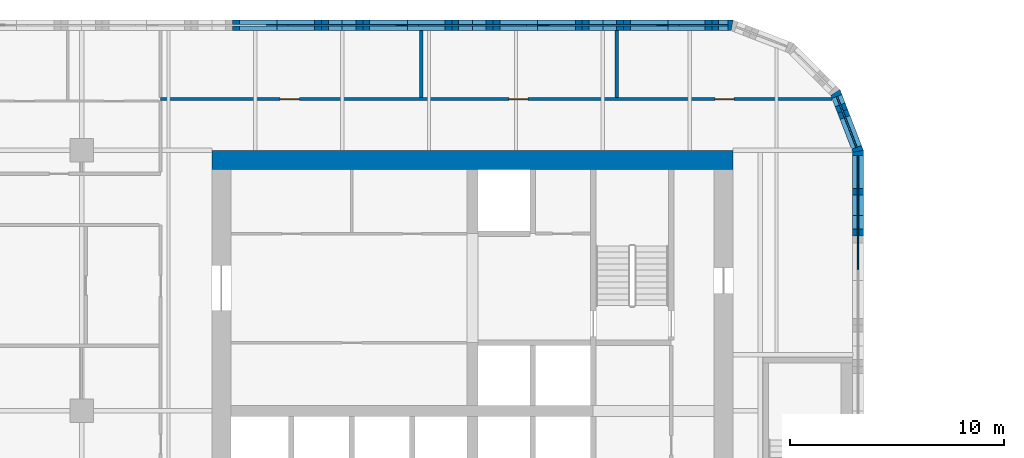
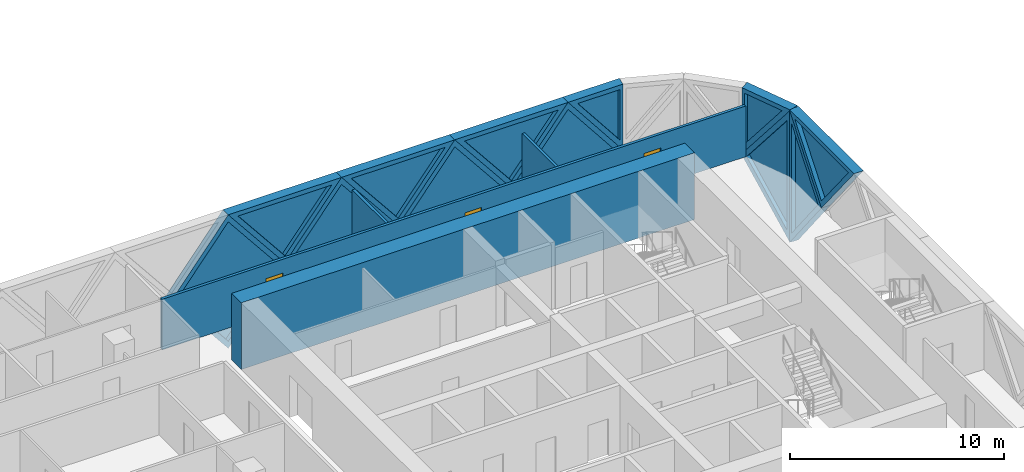
# One storey, part 13 of 24: 16 walls, 12 plates, 3 doors, 15 openings.
"""IFC4 building model written with IfcOpenShell, lengths in metres."""

from ifc_helpers import new_model, si_unit, direction, frame, frame_2d, origin, place, context, subcontext, project, spatial, polyline, rectangle, outline, extrude, faceted_brep, source, transform, mapped, material, layer, layer_set, type_object, element, fill, save


model = new_model("IFC4")

# Units and contexts
model_context = context("Model", 3, precision=1e-05, world=origin(), true_north=direction((0.0, 1.0)))
body_context = subcontext(model_context, "Body", "Model", "MODEL_VIEW")
ifc_project = project(units=[si_unit("LENGTHUNIT", "METRE"), si_unit("AREAUNIT", "SQUARE_METRE"), si_unit("VOLUMEUNIT", "CUBIC_METRE"), si_unit("PLANEANGLEUNIT", "RADIAN"), si_unit("MASSUNIT", "GRAM", prefix="KILO")], contexts=[model_context])

# Site, building, storey
site_placement = place(None, origin())
site = spatial("IfcSite", under=ifc_project, at=site_placement, CompositionType="ELEMENT")
building_placement = place(site_placement, origin())
building = spatial("IfcBuilding", under=site, at=building_placement, Name="Tessera Gate Towers", CompositionType="ELEMENT")
storey_placement = place(building_placement, frame((0.0, 0.0, 60.0)))
storey = spatial("IfcBuildingStorey", under=building, at=storey_placement, Name="L14", CompositionType="ELEMENT", Elevation=60.0)

# Wall
ifc_material_1 = material(Name="Concrete C70/85", Category="concrete")
ifc_layer_1 = layer(ifc_material_1, 0.89990234375)
ifc_layer_set_1 = layer_set([ifc_layer_1], Name="CORE SHEAR WALL 900 C70/85")
wall_type_1 = type_object("IfcWallType", Name="CORE SHEAR WALL 900 C70/85", PredefinedType="SHEAR", material=ifc_layer_set_1)
wall_1_placement = place(storey_placement, frame((30.5, 48.35009765625, 0.0), z_axis=(0.0, 0.0, 1.0), x_axis=(1.0, 0.0, 0.0)))
element("IfcWall", 1, at=wall_1_placement, inside=storey, type_object=wall_type_1, Name="Core wall N L14", PredefinedType="SHEAR", context=body_context, shape_type="SweptSolid", body=[
    extrude(rectangle(XDim=24.39990234375, YDim=0.89990234375, at=frame_2d((12.199951171875, 0.0))), origin(), (0.0, 0.0, 1.0), 3.800048828125),
])

# Wall, openings, doors
ifc_material_2 = material(Name="Gypsum board on steel studs, mineral wool", Category="steel")
ifc_layer_2 = layer(ifc_material_2, 0.14990234375)
ifc_layer_set_2 = layer_set([ifc_layer_2], Name="CORRIDOR WALL 150")
wall_type_2 = type_object("IfcWallType", Name="CORRIDOR WALL 150", PredefinedType="PARTITIONING", material=ifc_layer_set_2)
wall_2_placement = place(storey_placement, frame((28.10009765625, 51.199951171875, 0.0), z_axis=(0.0, 0.0, 1.0), x_axis=(1.0, 0.0, 0.0)))
wall_2 = element("IfcWall", 2, at=wall_2_placement, inside=storey, type_object=wall_type_2, Name="T1-L14-PW-047", PredefinedType="PARTITIONING", context=body_context, shape_type="SweptSolid", body=[
    extrude(rectangle(XDim=31.438232421875, YDim=0.14990234375, at=frame_2d((15.71923828125, 0.0))), origin(), (0.0, 0.0, 1.0), 2.887939453125),
])
shared_shape_1 = source(origin(), body_context, "Body", "SweptSolid", [
    extrude(rectangle(XDim=0.89990234375, YDim=2.10009765625, at=frame_2d((0.449951171875, 1.050048828125))), frame((0.0, 0.0849609375, 0.0), z_axis=(0.0, -1.0, 0.0), x_axis=(1.0, 0.0, 0.0)), (0.0, 0.0, 1.0), 0.169921875),
])
opening_1_placement = place(wall_2_placement, frame((16.301025390625, 0.0, 0.0)))
opening_1 = element("IfcOpeningElement", 3, at=opening_1_placement, cuts=wall_2, Name="Opening D890FD60-A05-05", PredefinedType="OPENING", context=body_context, shape_type="MappedRepresentation", body=[
    mapped(shared_shape_1, transform((0.0, 0.0, 0.0), scale=1.0)),
])
opening_2_placement = place(wall_2_placement, frame((25.949951171875, 0.0, 0.0)))
opening_2 = element("IfcOpeningElement", 4, at=opening_2_placement, cuts=wall_2, Name="Opening D890FD60-A05-08", PredefinedType="OPENING", context=body_context, shape_type="MappedRepresentation", body=[
    mapped(shared_shape_1, transform((0.0, 0.0, 0.0), scale=1.0)),
])
opening_3_placement = place(wall_2_placement, frame((5.60009765625, 0.0, 0.0)))
opening_3 = element("IfcOpeningElement", 5, at=opening_3_placement, cuts=wall_2, Name="Opening D890FD60-A05-09", PredefinedType="OPENING", context=body_context, shape_type="MappedRepresentation", body=[
    mapped(shared_shape_1, transform((0.0, 0.0, 0.0), scale=1.0)),
])
ifc_material_3 = material(Name="Timber door leaf in steel frame", Category="steel")
door_type = type_object("IfcDoorType", Name="CORRIDOR DOOR 900 FD60", OperationType="NOTDEFINED", PredefinedType="DOOR", material=ifc_material_3)
shared_shape_2 = source(origin(), body_context, "Body", "SweptSolid", [
    extrude(rectangle(XDim=0.89990234375, YDim=2.10009765625, at=frame_2d((0.449951171875, 1.050048828125))), frame((0.0, 0.02490234375, 0.0), z_axis=(0.0, -1.0, 0.0), x_axis=(1.0, 0.0, 0.0)), (0.0, 0.0, 1.0), 0.050048828125),
])
door_1_placement = place(opening_1_placement, origin())
door_1 = element("IfcDoor", 6, at=door_1_placement, inside=storey, type_object=door_type, Name="T1-L14-PD-024", OperationType="SINGLE_SWING_LEFT", OverallHeight=2.10009765625, OverallWidth=0.89990234375, PredefinedType="DOOR", context=body_context, shape_type="MappedRepresentation", body=[
    mapped(shared_shape_2, transform((0.0, 0.0, 0.0), scale=1.0)),
])
fill(opening_1, door_1)
door_2_placement = place(opening_2_placement, origin())
door_2 = element("IfcDoor", 7, at=door_2_placement, inside=storey, type_object=door_type, Name="T1-L14-PD-027", OperationType="SINGLE_SWING_LEFT", OverallHeight=2.10009765625, OverallWidth=0.89990234375, PredefinedType="DOOR", context=body_context, shape_type="MappedRepresentation", body=[
    mapped(shared_shape_2, transform((0.0, 0.0, 0.0), scale=1.0)),
])
fill(opening_2, door_2)
door_3_placement = place(opening_3_placement, origin())
door_3 = element("IfcDoor", 8, at=door_3_placement, inside=storey, type_object=door_type, Name="T1-L14-PD-028", OperationType="SINGLE_SWING_LEFT", OverallHeight=2.10009765625, OverallWidth=0.89990234375, PredefinedType="DOOR", context=body_context, shape_type="MappedRepresentation", body=[
    mapped(shared_shape_2, transform((0.0, 0.0, 0.0), scale=1.0)),
])
fill(opening_3, door_3)

# Walls
ifc_material_4 = material(Name="Gypsum board on steel studs, mineral wool", Category="steel")
ifc_layer_3 = layer(ifc_material_4, 0.14990234375)
ifc_layer_set_3 = layer_set([ifc_layer_3], Name="TENANCY WALL 150")
wall_type_3 = type_object("IfcWallType", Name="TENANCY WALL 150", PredefinedType="PARTITIONING", material=ifc_layer_set_3)
for number, where, z_axis, x_axis, name in (
    (9, (40.300048828125, 51.27587890625, 0.0), (0.0, 0.0, 1.0), (0.0, 1.0, 0.0), "T1-L14-PW-049"),
    (10, (49.449951171875, 51.27587890625, 0.0), (0.0, 0.0, 1.0), (0.0, 1.0, 0.0), "T1-L14-PW-050"),
):
    element("IfcWall", number, at=place(storey_placement, frame(where, z_axis=z_axis, x_axis=x_axis)), inside=storey, type_object=wall_type_3, Name=name, PredefinedType="PARTITIONING", context=body_context, shape_type="SweptSolid", body=[
        extrude(rectangle(XDim=3.1240234375, YDim=0.14990234375, at=frame_2d((1.56201171875, 0.0))), origin(), (0.0, 0.0, 1.0), 2.887939453125),
    ])

# Wall, opening, plate
ifc_material_5 = material(Name="Precast concrete C60/75 white", Category="concrete")
ifc_layer_4 = layer(ifc_material_5, 0.5)
ifc_layer_set_4 = layer_set([ifc_layer_4], Name="TS1 tessera")
wall_type_4 = type_object("IfcWallType", Name="TS1 tessera", PredefinedType="SOLIDWALL", material=ifc_layer_set_4)
shared_shape_3 = source(origin(), body_context, "Body", "Brep", [
    faceted_brep([(3.00341796875, -0.25, 0.0), (6.053466796875, -0.25, 3.800048828125), (3.00341796875, -0.25, 7.60009765625), (0.0, -0.25, 3.800048828125), (0.046630859375, 0.25, 3.85888671875), (3.00341796875, 0.25, 7.60009765625), (6.053466796875, 0.25, 3.800048828125), (3.00341796875, 0.25, 0.0), (0.046630859375, 0.25, 3.7412109375), (0.0, 0.0, 3.800048828125)], [[[0, 1, 2, 3]], [[4, 5, 6, 7, 8]], [[7, 6, 1, 0]], [[6, 5, 2, 1]], [[5, 4, 9, 3, 2]], [[8, 7, 0, 3, 9]], [[8, 9, 4]]]),
])
wall_3_placement = place(storey_placement, frame((54.853515625, 54.64990234375, -3.800048828125), z_axis=(0.0, 0.0, 1.0), x_axis=(-1.0, 0.0, 0.0)))
wall_3 = element("IfcWall", 11, at=wall_3_placement, inside=storey, type_object=wall_type_4, Name="Precast tessera T1 TS1-0217", PredefinedType="SOLIDWALL", context=body_context, shape_type="MappedRepresentation", body=[
    mapped(shared_shape_3, transform((0.0, 0.0, 0.0), scale=1.0)),
])
shared_shape_4 = source(origin(), body_context, "Body", "SweptSolid", [
    extrude(outline(polyline([(3.0048828125, 0.4013671875), (5.73291015625, 3.800048828125), (3.0048828125, 7.19873046875), (0.318603515625, 3.800048828125), (3.0048828125, 0.4013671875)])), frame((0.0, 0.260009765625, 0.0), z_axis=(0.0, -1.0, 0.0), x_axis=(1.0, 0.0, 0.0)), (0.0, 0.0, 1.0), 0.52001953125),
])
opening_4_placement = place(wall_3_placement, origin())
opening_4 = element("IfcOpeningElement", 12, at=opening_4_placement, cuts=wall_3, Name="Opening T1-PL2-0441", PredefinedType="OPENING", context=body_context, shape_type="MappedRepresentation", body=[
    mapped(shared_shape_4, transform((0.0, 0.0, 0.0), scale=1.0)),
])
ifc_material_6 = material(Name="Low-e laminated glass", Category="glass")
ifc_layer_5 = layer(ifc_material_6, 0.06005859375)
ifc_layer_set_5 = layer_set([ifc_layer_5], Name="PL2 rhombic pane")
plate_type_1 = type_object("IfcPlateType", Name="PL2 rhombic pane", PredefinedType="SHEET", material=ifc_layer_set_5)
shared_shape_5 = source(origin(), body_context, "Body", "SweptSolid", [
    extrude(outline(polyline([(3.0048828125, 0.4013671875), (5.73291015625, 3.800048828125), (3.0048828125, 7.19873046875), (0.318603515625, 3.800048828125), (3.0048828125, 0.4013671875)])), frame((0.0, 0.030029296875, 0.0), z_axis=(0.0, -1.0, 0.0), x_axis=(1.0, 0.0, 0.0)), (0.0, 0.0, 1.0), 0.06005859375),
])
plate_1_placement = place(opening_4_placement, origin())
plate_1 = element("IfcPlate", 13, at=plate_1_placement, inside=storey, type_object=plate_type_1, Name="Glass pane T1 PL2-0441", PredefinedType="SHEET", context=body_context, shape_type="MappedRepresentation", body=[
    mapped(shared_shape_5, transform((0.0, 0.0, 0.0), scale=1.0)),
])
fill(opening_4, plate_1)

shared_shape_6 = source(origin(), body_context, "Body", "Brep", [
    faceted_brep([(3.050048828125, -0.25, 0.0), (6.099853515625, -0.25, 3.7998046875), (6.099853515625, -0.25, 3.80029296875), (3.050048828125, -0.25, 7.60009765625), (0.0, -0.25, 3.800048828125), (0.0, 0.25, 3.800048828125), (3.050048828125, 0.25, 7.60009765625), (6.099853515625, 0.25, 3.80029296875), (6.099853515625, 0.25, 3.7998046875), (3.050048828125, 0.25, 0.0)], [[[0, 1, 2, 3, 4]], [[5, 6, 7, 8, 9]], [[9, 8, 1, 0]], [[7, 6, 3, 2]], [[6, 5, 4, 3]], [[5, 9, 0, 4]], [[1, 8, 7, 2]]]),
])
wall_4_placement = place(storey_placement, frame((42.699951171875, 54.64990234375, -3.800048828125), z_axis=(0.0, 0.0, 1.0), x_axis=(-1.0, 0.0, 0.0)))
wall_4 = element("IfcWall", 14, at=wall_4_placement, inside=storey, type_object=wall_type_4, Name="Precast tessera T1 TS1-0219", PredefinedType="SOLIDWALL", context=body_context, shape_type="MappedRepresentation", body=[
    mapped(shared_shape_6, transform((0.0, 0.0, 0.0), scale=1.0)),
])
shared_shape_7 = source(origin(), body_context, "Body", "SweptSolid", [
    extrude(outline(polyline([(3.050048828125, 0.3994140625), (5.779541015625, 3.800048828125), (3.050048828125, 7.20068359375), (0.320556640625, 3.800048828125), (3.050048828125, 0.3994140625)])), frame((0.0, 0.260009765625, 0.0), z_axis=(0.0, -1.0, 0.0), x_axis=(1.0, 0.0, 0.0)), (0.0, 0.0, 1.0), 0.52001953125),
])
opening_5_placement = place(wall_4_placement, origin())
opening_5 = element("IfcOpeningElement", 15, at=opening_5_placement, cuts=wall_4, Name="Opening T1-PL2-0443", PredefinedType="OPENING", context=body_context, shape_type="MappedRepresentation", body=[
    mapped(shared_shape_7, transform((0.0, 0.0, 0.0), scale=1.0)),
])
shared_shape_8 = source(origin(), body_context, "Body", "SweptSolid", [
    extrude(outline(polyline([(3.050048828125, 0.3994140625), (5.779541015625, 3.800048828125), (3.050048828125, 7.20068359375), (0.320556640625, 3.800048828125), (3.050048828125, 0.3994140625)])), frame((0.0, 0.030029296875, 0.0), z_axis=(0.0, -1.0, 0.0), x_axis=(1.0, 0.0, 0.0)), (0.0, 0.0, 1.0), 0.06005859375),
])
plate_2_placement = place(opening_5_placement, origin())
plate_2 = element("IfcPlate", 16, at=plate_2_placement, inside=storey, type_object=plate_type_1, Name="Glass pane T1 PL2-0443", PredefinedType="SHEET", context=body_context, shape_type="MappedRepresentation", body=[
    mapped(shared_shape_8, transform((0.0, 0.0, 0.0), scale=1.0)),
])
fill(opening_5, plate_2)

shared_shape_9 = source(origin(), body_context, "Body", "SweptSolid", [
    extrude(outline(polyline([(3.050048828125, 0.0), (6.10009765625, 3.800048828125), (3.050048828125, 7.60009765625), (0.0, 3.800048828125), (3.050048828125, 0.0)])), frame((0.0, 0.25, 0.0), z_axis=(0.0, -1.0, 0.0), x_axis=(1.0, 0.0, 0.0)), (0.0, 0.0, 1.0), 0.5),
])
wall_5_placement = place(storey_placement, frame((48.800048828125, 54.64990234375, -3.800048828125), z_axis=(0.0, 0.0, 1.0), x_axis=(-1.0, 0.0, 0.0)))
wall_5 = element("IfcWall", 17, at=wall_5_placement, inside=storey, type_object=wall_type_4, Name="Precast tessera T1 TS1-0218", PredefinedType="SOLIDWALL", context=body_context, shape_type="MappedRepresentation", body=[
    mapped(shared_shape_9, transform((0.0, 0.0, 0.0), scale=1.0)),
])
opening_6_placement = place(wall_5_placement, origin())
opening_6 = element("IfcOpeningElement", 18, at=opening_6_placement, cuts=wall_5, Name="Opening T1-PL2-0442", PredefinedType="OPENING", context=body_context, shape_type="MappedRepresentation", body=[
    mapped(shared_shape_7, transform((0.0, 0.0, 0.0), scale=1.0)),
])
plate_3_placement = place(opening_6_placement, origin())
plate_3 = element("IfcPlate", 19, at=plate_3_placement, inside=storey, type_object=plate_type_1, Name="Glass pane T1 PL2-0442", PredefinedType="SHEET", context=body_context, shape_type="MappedRepresentation", body=[
    mapped(shared_shape_8, transform((0.0, 0.0, 0.0), scale=1.0)),
])
fill(opening_6, plate_3)

wall_6_placement = place(storey_placement, frame((36.60009765625, 54.64990234375, -3.800048828125), z_axis=(0.0, 0.0, 1.0), x_axis=(-1.0, 0.0, 0.0)))
wall_6 = element("IfcWall", 20, at=wall_6_placement, inside=storey, type_object=wall_type_4, Name="Precast tessera T1 TS1-0220", PredefinedType="SOLIDWALL", context=body_context, shape_type="MappedRepresentation", body=[
    mapped(shared_shape_9, transform((0.0, 0.0, 0.0), scale=1.0)),
])
opening_7_placement = place(wall_6_placement, origin())
opening_7 = element("IfcOpeningElement", 21, at=opening_7_placement, cuts=wall_6, Name="Opening T1-PL2-0444", PredefinedType="OPENING", context=body_context, shape_type="MappedRepresentation", body=[
    mapped(shared_shape_7, transform((0.0, 0.0, 0.0), scale=1.0)),
])
plate_4_placement = place(opening_7_placement, origin())
plate_4 = element("IfcPlate", 22, at=plate_4_placement, inside=storey, type_object=plate_type_1, Name="Glass pane T1 PL2-0444", PredefinedType="SHEET", context=body_context, shape_type="MappedRepresentation", body=[
    mapped(shared_shape_8, transform((0.0, 0.0, 0.0), scale=1.0)),
])
fill(opening_7, plate_4)

ifc_material_7 = material(Name="Precast concrete C60/75 white", Category="concrete")
ifc_layer_6 = layer(ifc_material_7, 0.5)
ifc_layer_set_6 = layer_set([ifc_layer_6], Name="TS3 corner tessera")
wall_type_5 = type_object("IfcWallType", Name="TS3 corner tessera", PredefinedType="SOLIDWALL", material=ifc_layer_set_6)
shared_shape_10 = source(origin(), body_context, "Body", "Brep", [
    faceted_brep([(3.00341796875, -0.25, 0.0), (3.050048828125, -0.25, 0.06005859375), (3.050048828125, -0.25, 7.5400390625), (3.00341796875, -0.25, 7.60009765625), (0.0, -0.25, 3.800048828125), (0.0, 0.25, 3.800048828125), (2.956787109375, 0.25, 7.541259765625), (2.956787109375, 0.25, 0.058837890625), (3.00341796875, 0.000244140625, 0.0), (3.00341796875, 0.000244140625, 7.60009765625)], [[[0, 1, 2, 3, 4]], [[5, 6, 7]], [[1, 0, 8]], [[9, 3, 2]], [[6, 5, 4, 3, 9]], [[5, 7, 8, 0, 4]], [[1, 8, 7, 6, 9, 2]]]),
])
wall_7_placement = place(storey_placement, frame((60.75, 45.75, -3.800048828125), z_axis=(0.0, 0.0, 1.0), x_axis=(0.0, 1.0, 0.0)))
wall_7 = element("IfcWall", 23, at=wall_7_placement, inside=storey, type_object=wall_type_5, Name="Precast corner tessera T1 TS3-0293", PredefinedType="SOLIDWALL", context=body_context, shape_type="MappedRepresentation", body=[
    mapped(shared_shape_10, transform((0.0, 0.0, 0.0), scale=1.0)),
])
shared_shape_11 = source(origin(), body_context, "Body", "SweptSolid", [
    extrude(outline(polyline([(2.803466796875, 6.94384765625), (0.318603515625, 3.800048828125), (2.803466796875, 0.65625), (2.803466796875, 6.94384765625)])), frame((0.0, 0.260009765625, 0.0), z_axis=(0.0, -1.0, 0.0), x_axis=(1.0, 0.0, 0.0)), (0.0, 0.0, 1.0), 0.52001953125),
])
opening_8_placement = place(wall_7_placement, origin())
opening_8 = element("IfcOpeningElement", 24, at=opening_8_placement, cuts=wall_7, Name="Opening T1-PL2-0437", PredefinedType="OPENING", context=body_context, shape_type="MappedRepresentation", body=[
    mapped(shared_shape_11, transform((0.0, 0.0, 0.0), scale=1.0)),
])
shared_shape_12 = source(origin(), body_context, "Body", "SweptSolid", [
    extrude(outline(polyline([(2.803466796875, 6.94384765625), (0.318603515625, 3.800048828125), (2.803466796875, 0.65625), (2.803466796875, 6.94384765625)])), frame((0.0, 0.030029296875, 0.0), z_axis=(0.0, -1.0, 0.0), x_axis=(1.0, 0.0, 0.0)), (0.0, 0.0, 1.0), 0.06005859375),
])
plate_5_placement = place(opening_8_placement, origin())
plate_5 = element("IfcPlate", 25, at=plate_5_placement, inside=storey, type_object=plate_type_1, Name="Glass pane T1 PL2-0437", PredefinedType="SHEET", context=body_context, shape_type="MappedRepresentation", body=[
    mapped(shared_shape_12, transform((0.0, 0.0, 0.0), scale=1.0)),
])
fill(opening_8, plate_5)

shared_shape_13 = source(origin(), body_context, "Body", "Brep", [
    faceted_brep([(0.046630859375, -0.25, 0.0), (2.9970703125, -0.25, 3.800048828125), (0.046630859375, -0.25, 7.60009765625), (0.0, -0.25, 7.541259765625), (0.0, -0.25, 0.058837890625), (0.09326171875, 0.25, 7.5400390625), (2.9443359375, 0.25, 3.8681640625), (2.9443359375, 0.25, 3.73193359375), (0.09326171875, 0.25, 0.06005859375), (2.9970703125, 0.00048828125, 3.800048828125), (0.046630859375, 0.0, 0.0), (0.046630859375, 0.0, 7.60009765625)], [[[0, 1, 2, 3, 4]], [[5, 6, 7, 8]], [[8, 7, 9, 1, 0, 10]], [[6, 5, 11, 2, 1, 9]], [[3, 2, 11]], [[10, 0, 4]], [[8, 10, 4, 3, 11, 5]], [[9, 7, 6]]]),
])
wall_8_placement = place(storey_placement, frame((60.766845703125, 48.7099609375, -3.800048828125), z_axis=(0.0, 0.0, 1.0), x_axis=(-0.359901446078, 0.932990326376, 0.0)))
wall_8 = element("IfcWall", 26, at=wall_8_placement, inside=storey, type_object=wall_type_5, Name="Precast corner tessera T1 TS3-0294", PredefinedType="SOLIDWALL", context=body_context, shape_type="MappedRepresentation", body=[
    mapped(shared_shape_13, transform((0.0, 0.0, 0.0), scale=1.0)),
])
shared_shape_14 = source(origin(), body_context, "Body", "SweptSolid", [
    extrude(outline(polyline([(0.24658203125, 0.665283203125), (2.6806640625, 3.800048828125), (0.24658203125, 6.934814453125), (0.24658203125, 0.665283203125)])), frame((0.0, 0.260009765625, 0.0), z_axis=(0.0, -1.0, 0.0), x_axis=(1.0, 0.0, 0.0)), (0.0, 0.0, 1.0), 0.52001953125),
])
opening_9_placement = place(wall_8_placement, origin())
opening_9 = element("IfcOpeningElement", 27, at=opening_9_placement, cuts=wall_8, Name="Opening T1-PL2-0438", PredefinedType="OPENING", context=body_context, shape_type="MappedRepresentation", body=[
    mapped(shared_shape_14, transform((0.0, 0.0, 0.0), scale=1.0)),
])
shared_shape_15 = source(origin(), body_context, "Body", "SweptSolid", [
    extrude(outline(polyline([(0.24658203125, 0.665283203125), (2.6806640625, 3.800048828125), (0.24658203125, 6.934814453125), (0.24658203125, 0.665283203125)])), frame((0.0, 0.030029296875, 0.0), z_axis=(0.0, -1.0, 0.0), x_axis=(1.0, 0.0, 0.0)), (0.0, 0.0, 1.0), 0.06005859375),
])
plate_6_placement = place(opening_9_placement, origin())
plate_6 = element("IfcPlate", 28, at=plate_6_placement, inside=storey, type_object=plate_type_1, Name="Glass pane T1 PL2-0438", PredefinedType="SHEET", context=body_context, shape_type="MappedRepresentation", body=[
    mapped(shared_shape_15, transform((0.0, 0.0, 0.0), scale=1.0)),
])
fill(opening_9, plate_6)

shared_shape_16 = source(origin(), body_context, "Body", "Brep", [
    faceted_brep([(0.046630859375, -0.25, 0.0), (3.050048828125, -0.25, 3.800048828125), (0.0, -0.25, 3.800048828125), (0.0, -0.25, 0.06005859375), (0.09326171875, 0.25, 3.800048828125), (3.050048828125, 0.25, 3.800048828125), (0.09326171875, 0.25, 0.058837890625), (0.046630859375, 0.0, 0.0)], [[[0, 1, 2, 3]], [[4, 5, 6]], [[6, 5, 1, 0, 7]], [[5, 4, 2, 1]], [[7, 0, 3]], [[6, 7, 3, 2, 4]]]),
])
wall_9_placement = place(storey_placement, frame((54.900146484375, 54.64990234375, 0.0), z_axis=(0.0, 0.0, 1.0), x_axis=(-1.0, 0.0, 0.0)))
wall_9 = element("IfcWall", 29, at=wall_9_placement, inside=storey, type_object=wall_type_5, Name="Precast corner tessera T1 TS3-0322", PredefinedType="SOLIDWALL", context=body_context, shape_type="MappedRepresentation", body=[
    mapped(shared_shape_16, transform((0.0, 0.0, 0.0), scale=1.0)),
])
shared_shape_17 = source(origin(), body_context, "Body", "SweptSolid", [
    extrude(outline(polyline([(0.24658203125, 0.65625), (2.533935546875, 3.550048828125), (0.24658203125, 3.550048828125), (0.24658203125, 0.65625)])), frame((0.0, 0.260009765625, 0.0), z_axis=(0.0, -1.0, 0.0), x_axis=(1.0, 0.0, 0.0)), (0.0, 0.0, 1.0), 0.52001953125),
])
opening_10_placement = place(wall_9_placement, origin())
opening_10 = element("IfcOpeningElement", 30, at=opening_10_placement, cuts=wall_9, Name="Opening T1-PL1-0160", PredefinedType="OPENING", context=body_context, shape_type="MappedRepresentation", body=[
    mapped(shared_shape_17, transform((0.0, 0.0, 0.0), scale=1.0)),
])
ifc_material_8 = material(Name="Low-e laminated glass", Category="glass")
ifc_layer_7 = layer(ifc_material_8, 0.06005859375)
ifc_layer_set_7 = layer_set([ifc_layer_7], Name="PL1 triangular pane")
plate_type_2 = type_object("IfcPlateType", Name="PL1 triangular pane", PredefinedType="SHEET", material=ifc_layer_set_7)
shared_shape_18 = source(origin(), body_context, "Body", "SweptSolid", [
    extrude(outline(polyline([(0.24658203125, 0.65625), (2.533935546875, 3.550048828125), (0.24658203125, 3.550048828125), (0.24658203125, 0.65625)])), frame((0.0, 0.030029296875, 0.0), z_axis=(0.0, -1.0, 0.0), x_axis=(1.0, 0.0, 0.0)), (0.0, 0.0, 1.0), 0.06005859375),
])
plate_7_placement = place(opening_10_placement, origin())
plate_7 = element("IfcPlate", 31, at=plate_7_placement, inside=storey, type_object=plate_type_2, Name="Glass pane T1 PL1-0160", PredefinedType="SHEET", context=body_context, shape_type="MappedRepresentation", body=[
    mapped(shared_shape_18, transform((0.0, 0.0, 0.0), scale=1.0)),
])
fill(opening_10, plate_7)

ifc_material_9 = material(Name="Precast concrete C60/75 white", Category="concrete")
ifc_layer_8 = layer(ifc_material_9, 0.5)
ifc_layer_set_8 = layer_set([ifc_layer_8], Name="TS2 half tessera")
wall_type_6 = type_object("IfcWallType", Name="TS2 half tessera", PredefinedType="SOLIDWALL", material=ifc_layer_set_8)
shared_shape_19 = source(origin(), body_context, "Body", "Brep", [
    faceted_brep([(3.050048828125, -0.25, 0.0), (6.099853515625, -0.25, 3.7998046875), (6.099853515625, -0.25, 3.800048828125), (0.0, -0.25, 3.800048828125), (0.0, 0.25, 3.800048828125), (6.099853515625, 0.25, 3.800048828125), (6.099853515625, 0.25, 3.7998046875), (3.050048828125, 0.25, 0.0)], [[[0, 1, 2, 3]], [[4, 5, 6, 7]], [[7, 6, 1, 0]], [[5, 4, 3, 2]], [[4, 7, 0, 3]], [[1, 6, 5, 2]]]),
])
wall_10_placement = place(storey_placement, frame((39.64990234375, 54.64990234375, 0.0), z_axis=(0.0, 0.0, 1.0), x_axis=(-1.0, 0.0, 0.0)))
wall_10 = element("IfcWall", 32, at=wall_10_placement, inside=storey, type_object=wall_type_6, Name="Precast half tessera T1 TS2-0081", PredefinedType="SOLIDWALL", context=body_context, shape_type="MappedRepresentation", body=[
    mapped(shared_shape_19, transform((0.0, 0.0, 0.0), scale=1.0)),
])
shared_shape_20 = source(origin(), body_context, "Body", "SweptSolid", [
    extrude(outline(polyline([(3.050048828125, 0.3994140625), (5.578857421875, 3.550048828125), (0.521240234375, 3.550048828125), (3.050048828125, 0.3994140625)])), frame((0.0, 0.260009765625, 0.0), z_axis=(0.0, -1.0, 0.0), x_axis=(1.0, 0.0, 0.0)), (0.0, 0.0, 1.0), 0.52001953125),
])
opening_11_placement = place(wall_10_placement, origin())
opening_11 = element("IfcOpeningElement", 33, at=opening_11_placement, cuts=wall_10, Name="Opening T1-PL1-0163", PredefinedType="OPENING", context=body_context, shape_type="MappedRepresentation", body=[
    mapped(shared_shape_20, transform((0.0, 0.0, 0.0), scale=1.0)),
])
shared_shape_21 = source(origin(), body_context, "Body", "SweptSolid", [
    extrude(outline(polyline([(3.050048828125, 0.3994140625), (5.578857421875, 3.550048828125), (0.521240234375, 3.550048828125), (3.050048828125, 0.3994140625)])), frame((0.0, 0.030029296875, 0.0), z_axis=(0.0, -1.0, 0.0), x_axis=(1.0, 0.0, 0.0)), (0.0, 0.0, 1.0), 0.06005859375),
])
plate_8_placement = place(opening_11_placement, origin())
plate_8 = element("IfcPlate", 34, at=plate_8_placement, inside=storey, type_object=plate_type_2, Name="Glass pane T1 PL1-0163", PredefinedType="SHEET", context=body_context, shape_type="MappedRepresentation", body=[
    mapped(shared_shape_21, transform((0.0, 0.0, 0.0), scale=1.0)),
])
fill(opening_11, plate_8)

shared_shape_22 = source(origin(), body_context, "Body", "SweptSolid", [
    extrude(outline(polyline([(3.050048828125, 0.0), (6.10009765625, 3.800048828125), (0.0, 3.800048828125), (3.050048828125, 0.0)])), frame((0.0, 0.25, 0.0), z_axis=(0.0, -1.0, 0.0), x_axis=(1.0, 0.0, 0.0)), (0.0, 0.0, 1.0), 0.5),
])
wall_11_placement = place(storey_placement, frame((51.85009765625, 54.64990234375, 0.0), z_axis=(0.0, 0.0, 1.0), x_axis=(-1.0, 0.0, 0.0)))
wall_11 = element("IfcWall", 35, at=wall_11_placement, inside=storey, type_object=wall_type_6, Name="Precast half tessera T1 TS2-0079", PredefinedType="SOLIDWALL", context=body_context, shape_type="MappedRepresentation", body=[
    mapped(shared_shape_22, transform((0.0, 0.0, 0.0), scale=1.0)),
])
opening_12_placement = place(wall_11_placement, origin())
opening_12 = element("IfcOpeningElement", 36, at=opening_12_placement, cuts=wall_11, Name="Opening T1-PL1-0161", PredefinedType="OPENING", context=body_context, shape_type="MappedRepresentation", body=[
    mapped(shared_shape_20, transform((0.0, 0.0, 0.0), scale=1.0)),
])
plate_9_placement = place(opening_12_placement, origin())
plate_9 = element("IfcPlate", 37, at=plate_9_placement, inside=storey, type_object=plate_type_2, Name="Glass pane T1 PL1-0161", PredefinedType="SHEET", context=body_context, shape_type="MappedRepresentation", body=[
    mapped(shared_shape_21, transform((0.0, 0.0, 0.0), scale=1.0)),
])
fill(opening_12, plate_9)

wall_12_placement = place(storey_placement, frame((45.75, 54.64990234375, 0.0), z_axis=(0.0, 0.0, 1.0), x_axis=(-1.0, 0.0, 0.0)))
wall_12 = element("IfcWall", 38, at=wall_12_placement, inside=storey, type_object=wall_type_6, Name="Precast half tessera T1 TS2-0080", PredefinedType="SOLIDWALL", context=body_context, shape_type="MappedRepresentation", body=[
    mapped(shared_shape_22, transform((0.0, 0.0, 0.0), scale=1.0)),
])
opening_13_placement = place(wall_12_placement, origin())
opening_13 = element("IfcOpeningElement", 39, at=opening_13_placement, cuts=wall_12, Name="Opening T1-PL1-0162", PredefinedType="OPENING", context=body_context, shape_type="MappedRepresentation", body=[
    mapped(shared_shape_20, transform((0.0, 0.0, 0.0), scale=1.0)),
])
plate_10_placement = place(opening_13_placement, origin())
plate_10 = element("IfcPlate", 40, at=plate_10_placement, inside=storey, type_object=plate_type_2, Name="Glass pane T1 PL1-0162", PredefinedType="SHEET", context=body_context, shape_type="MappedRepresentation", body=[
    mapped(shared_shape_21, transform((0.0, 0.0, 0.0), scale=1.0)),
])
fill(opening_13, plate_10)

shared_shape_23 = source(origin(), body_context, "Body", "Brep", [
    faceted_brep([(3.050048828125, -0.25, 0.0), (6.053466796875, -0.25, 3.800048828125), (0.0, -0.25, 3.800048828125), (0.0, 0.25, 3.800048828125), (6.0068359375, 0.25, 3.800048828125), (6.0068359375, 0.25, 3.7412109375), (3.050048828125, 0.25, 0.0), (6.053466796875, 0.0, 3.800048828125)], [[[0, 1, 2]], [[3, 4, 5, 6]], [[6, 5, 7, 1, 0]], [[4, 3, 2, 1, 7]], [[3, 6, 0, 2]], [[5, 4, 7]]]),
])
wall_13_placement = place(storey_placement, frame((60.75, 42.699951171875, 0.0), z_axis=(0.0, 0.0, 1.0), x_axis=(0.0, 1.0, 0.0)))
wall_13 = element("IfcWall", 41, at=wall_13_placement, inside=storey, type_object=wall_type_6, Name="Precast half tessera T1 TS2-0078", PredefinedType="SOLIDWALL", context=body_context, shape_type="MappedRepresentation", body=[
    mapped(shared_shape_23, transform((0.0, 0.0, 0.0), scale=1.0)),
])
shared_shape_24 = source(origin(), body_context, "Body", "SweptSolid", [
    extrude(outline(polyline([(3.048583984375, 0.4013671875), (5.537109375, 3.550048828125), (0.521240234375, 3.550048828125), (3.048583984375, 0.4013671875)])), frame((0.0, 0.260009765625, 0.0), z_axis=(0.0, -1.0, 0.0), x_axis=(1.0, 0.0, 0.0)), (0.0, 0.0, 1.0), 0.52001953125),
])
opening_14_placement = place(wall_13_placement, origin())
opening_14 = element("IfcOpeningElement", 42, at=opening_14_placement, cuts=wall_13, Name="Opening T1-PL1-0156", PredefinedType="OPENING", context=body_context, shape_type="MappedRepresentation", body=[
    mapped(shared_shape_24, transform((0.0, 0.0, 0.0), scale=1.0)),
])
shared_shape_25 = source(origin(), body_context, "Body", "SweptSolid", [
    extrude(outline(polyline([(3.048583984375, 0.4013671875), (5.537109375, 3.550048828125), (0.521240234375, 3.550048828125), (3.048583984375, 0.4013671875)])), frame((0.0, 0.030029296875, 0.0), z_axis=(0.0, -1.0, 0.0), x_axis=(1.0, 0.0, 0.0)), (0.0, 0.0, 1.0), 0.06005859375),
])
plate_11_placement = place(opening_14_placement, origin())
plate_11 = element("IfcPlate", 43, at=plate_11_placement, inside=storey, type_object=plate_type_2, Name="Glass pane T1 PL1-0156", PredefinedType="SHEET", context=body_context, shape_type="MappedRepresentation", body=[
    mapped(shared_shape_25, transform((0.0, 0.0, 0.0), scale=1.0)),
])
fill(opening_14, plate_11)

shared_shape_26 = source(origin(), body_context, "Body", "Brep", [
    faceted_brep([(2.950439453125, -0.25, 0.0), (3.00341796875, -0.25, 0.068359375), (3.00341796875, -0.25, 3.800048828125), (0.0, -0.25, 3.800048828125), (0.046630859375, 0.25, 3.800048828125), (2.897705078125, 0.25, 3.800048828125), (2.897705078125, 0.25, 0.068115234375), (0.046630859375, 0.25, 3.739990234375), (2.950439453125, 0.00048828125, 0.0), (0.0, 0.0, 3.800048828125)], [[[0, 1, 2, 3]], [[4, 5, 6, 7]], [[1, 0, 8]], [[5, 4, 9, 3, 2]], [[7, 6, 8, 0, 3, 9]], [[7, 9, 4]], [[1, 8, 6, 5, 2]]]),
])
wall_14_placement = place(storey_placement, frame((60.75, 48.75341796875, 0.0), z_axis=(0.0, 0.0, 1.0), x_axis=(-0.35992665181, 0.932980602862, 0.0)))
wall_14 = element("IfcWall", 44, at=wall_14_placement, inside=storey, type_object=wall_type_5, Name="Precast corner tessera T1 TS3-0319", PredefinedType="SOLIDWALL", context=body_context, shape_type="MappedRepresentation", body=[
    mapped(shared_shape_26, transform((0.0, 0.0, 0.0), scale=1.0)),
])
shared_shape_27 = source(origin(), body_context, "Body", "SweptSolid", [
    extrude(outline(polyline([(2.75048828125, 3.550048828125), (0.5107421875, 3.550048828125), (2.75048828125, 0.665283203125), (2.75048828125, 3.550048828125)])), frame((0.0, 0.260009765625, 0.0), z_axis=(0.0, -1.0, 0.0), x_axis=(1.0, 0.0, 0.0)), (0.0, 0.0, 1.0), 0.52001953125),
])
opening_15_placement = place(wall_14_placement, origin())
opening_15 = element("IfcOpeningElement", 45, at=opening_15_placement, cuts=wall_14, Name="Opening T1-PL1-0157", PredefinedType="OPENING", context=body_context, shape_type="MappedRepresentation", body=[
    mapped(shared_shape_27, transform((0.0, 0.0, 0.0), scale=1.0)),
])
shared_shape_28 = source(origin(), body_context, "Body", "SweptSolid", [
    extrude(outline(polyline([(2.75048828125, 3.550048828125), (0.5107421875, 3.550048828125), (2.75048828125, 0.665283203125), (2.75048828125, 3.550048828125)])), frame((0.0, 0.030029296875, 0.0), z_axis=(0.0, -1.0, 0.0), x_axis=(1.0, 0.0, 0.0)), (0.0, 0.0, 1.0), 0.06005859375),
])
plate_12_placement = place(opening_15_placement, origin())
plate_12 = element("IfcPlate", 46, at=plate_12_placement, inside=storey, type_object=plate_type_2, Name="Glass pane T1 PL1-0157", PredefinedType="SHEET", context=body_context, shape_type="MappedRepresentation", body=[
    mapped(shared_shape_28, transform((0.0, 0.0, 0.0), scale=1.0)),
])
fill(opening_15, plate_12)

save(model, "model.ifc")
